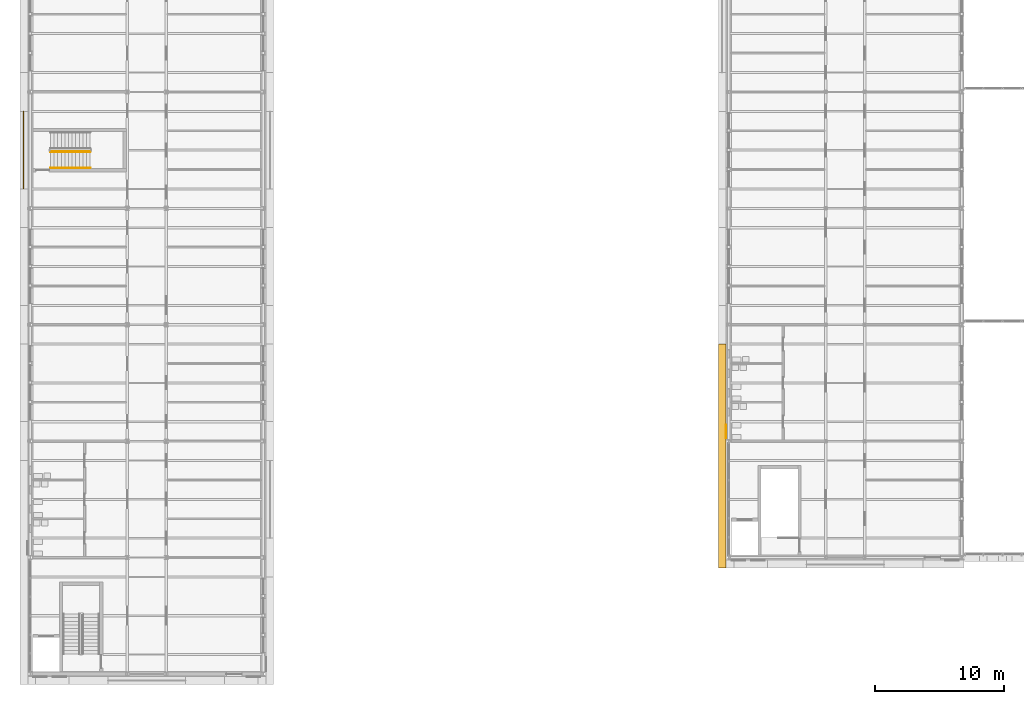
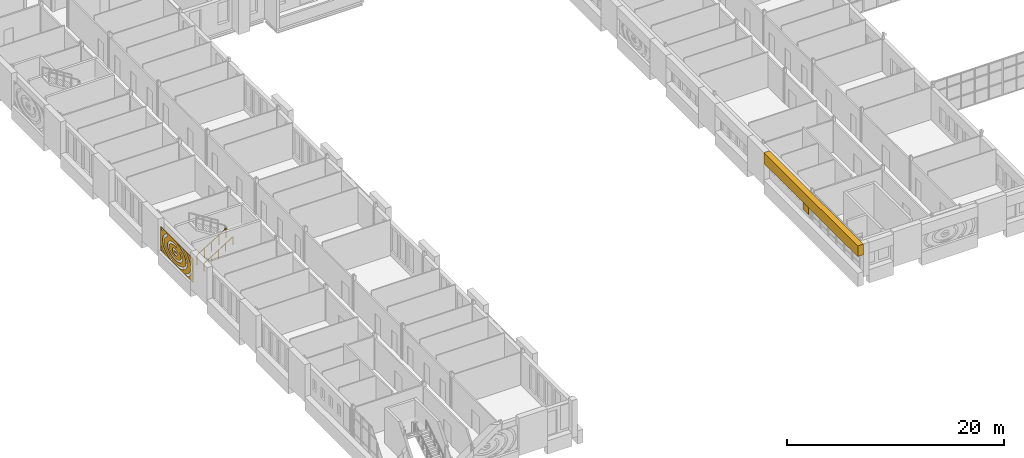
# One storey, part 138 of 154: 3 coverings, 2 railings.
"""IFC4 building model written with IfcOpenShell, lengths in metres."""

from ifc_helpers import new_model, si_unit, direction, frame, origin, origin_2d, place, context, subcontext, project, spatial, polyline, circle, outline, extrude, material, layer, layer_set, type_object, element, save


model = new_model("IFC4")

# Units and contexts
model_context = context("Model", 3, precision=1e-05, world=origin(), true_north=direction((0.0, 1.0)))
body_context = subcontext(model_context, "Body", "Model", "MODEL_VIEW")
ifc_project = project(units=[si_unit("LENGTHUNIT", "METRE"), si_unit("AREAUNIT", "SQUARE_METRE"), si_unit("VOLUMEUNIT", "CUBIC_METRE"), si_unit("PLANEANGLEUNIT", "RADIAN"), si_unit("MASSUNIT", "GRAM", prefix="KILO")], contexts=[model_context])

# Site, building, storey
site_placement = place(None, origin())
site = spatial("IfcSite", under=ifc_project, at=site_placement, CompositionType="ELEMENT")
building_placement = place(site_placement, origin())
building = spatial("IfcBuilding", under=site, at=building_placement, Name="Golden Quay Civic Hall", CompositionType="ELEMENT")
storey_placement = place(building_placement, frame((0.0, 0.0, 14.39990234375)))
storey = spatial("IfcBuildingStorey", under=building, at=storey_placement, Name="L03", CompositionType="ELEMENT", Elevation=14.39990234375)

# Covering
ifc_material_1 = material(Name="Aluminium, golden anodised, perforated", Category="aluminium")
ifc_layer_1 = layer(ifc_material_1, 0.0400390625)
ifc_layer_set_1 = layer_set([ifc_layer_1], Name="Perforated screen panel 6000 x 2700 x 40")
covering_type_1 = type_object("IfcCoveringType", Name="Perforated screen panel 6000 x 2700 x 40", PredefinedType="CLADDING", material=ifc_layer_set_1)
covering_1_placement = place(storey_placement, frame((-0.5, 31.5, 1.9501953125), z_axis=(-1.0, 0.0, 0.0), x_axis=(0.0, -1.0, 0.0)))
element("IfcCovering", 1, at=covering_1_placement, inside=storey, type_object=covering_type_1, Name="Perforated screen panel 6000 x 2700 x 40 L03 1", PredefinedType="CLADDING", context=body_context, shape_type="SweptSolid", body=[
    extrude(outline(polyline([(-3.0, -1.35009765625), (3.0, -1.35009765625), (3.0, 1.35009765625), (-3.0, 1.35009765625), (-3.0, -1.35009765625)]), holes=[polyline([(-0.14599609375, 0.114013671875), (-0.1875, 0.140625), (-0.248291015625, 0.16259765625), (-0.321533203125, 0.173828125), (-0.372802734375, 0.17431640625), (-0.446533203125, 0.163818359375), (-0.5087890625, 0.142578125), (-0.5517578125, 0.1162109375), (-0.575439453125, 0.088134765625), (-0.577392578125, 0.07763671875), (-0.57177734375, 0.065185546875), (-0.55908203125, 0.050537109375), (-0.53662109375, 0.03271484375), (-0.485107421875, 0.007568359375), (-0.4169921875, -0.009521484375), (-0.36669921875, -0.014404296875), (-0.3154296875, -0.013427734375), (-0.26611328125, -0.006591796875), (-0.22119140625, 0.00537109375), (-0.183349609375, 0.021240234375), (-0.154296875, 0.0390625), (-0.129638671875, 0.063232421875), (-0.120361328125, 0.08154296875), (0.102294921875, -0.019287109375), (0.07421875, -0.07177734375), (0.042236328125, -0.11181640625), (-0.00390625, -0.153564453125), (-0.043701171875, -0.1806640625), (-0.1025390625, -0.210693359375), (-0.176025390625, -0.236083984375), (-0.2216796875, -0.246826171875), (-0.2998046875, -0.25732421875), (-0.372314453125, -0.2587890625), (-0.412109375, -0.25634765625), (-0.49755859375, -0.242919921875), (-0.564453125, -0.223388671875), (-0.599853515625, -0.209716796875), (-0.666015625, -0.174560546875), (-0.705078125, -0.146484375), (-0.7333984375, -0.12109375), (-0.758544921875, -0.093017578125), (-0.780517578125, -0.06201171875), (-0.798583984375, -0.0283203125), (-0.811767578125, 0.008056640625), (-0.821533203125, 0.066162109375), (-0.818359375, 0.123046875), (-0.809326171875, 0.159912109375), (-0.79541015625, 0.195068359375), (-0.777099609375, 0.227294921875), (-0.75537109375, 0.257080078125), (-0.702880859375, 0.30810546875), (-0.6416015625, 0.34912109375), (-0.572998046875, 0.38037109375), (-0.4990234375, 0.402587890625), (-0.460693359375, 0.41015625), (-0.388916015625, 0.41796875), (-0.309326171875, 0.41796875), (-0.262451171875, 0.41357421875), (-0.184814453125, 0.398681640625), (-0.118896484375, 0.37744140625), (-0.075927734375, 0.3583984375), (-0.02001953125, 0.3251953125), (0.018310546875, 0.295166015625), (0.060546875, 0.25048828125), (-0.126220703125, 0.0927734375), (-0.14599609375, 0.114013671875)]), polyline([(-0.282470703125, 0.731689453125), (-0.37158203125, 0.732666015625), (-0.460693359375, 0.7294921875), (-0.548828125, 0.72216796875), (-0.635986328125, 0.710693359375), (-0.720947265625, 0.6953125), (-0.8037109375, 0.676025390625), (-0.883544921875, 0.653076171875), (-0.9599609375, 0.62646484375), (-1.0322265625, 0.596435546875), (-1.100341796875, 0.5634765625), (-1.163330078125, 0.52783203125), (-1.22119140625, 0.48974609375), (-1.273681640625, 0.449462890625), (-1.320068359375, 0.40771484375), (-1.360595703125, 0.364501953125), (-1.394775390625, 0.32080078125), (-1.423095703125, 0.2763671875), (-1.445068359375, 0.231689453125), (-1.46142578125, 0.1875), (-1.471923828125, 0.143310546875), (-1.47705078125, 0.099365234375), (-1.476806640625, 0.055419921875), (-1.470947265625, 0.011474609375), (-1.459716796875, -0.03271484375), (-1.44287109375, -0.0771484375), (-1.419921875, -0.12158203125), (-1.39111328125, -0.166015625), (-1.356201171875, -0.209716796875), (-1.31494140625, -0.252685546875), (-1.267578125, -0.294189453125), (-1.214599609375, -0.334228515625), (-1.15625, -0.372314453125), (-1.092529296875, -0.40771484375), (-1.02392578125, -0.440185546875), (-0.951171875, -0.4697265625), (-0.874267578125, -0.49609375), (-0.794189453125, -0.5185546875), (-0.711181640625, -0.53759765625), (-0.625732421875, -0.552490234375), (-0.53857421875, -0.563232421875), (-0.4501953125, -0.570068359375), (-0.361083984375, -0.57275390625), (-0.27197265625, -0.5712890625), (-0.183349609375, -0.5654296875), (-0.095703125, -0.555419921875), (-0.010009765625, -0.54150390625), (0.07373046875, -0.523681640625), (0.15478515625, -0.501953125), (0.232421875, -0.4765625), (0.306396484375, -0.447998046875), (0.3759765625, -0.416015625), (0.44091796875, -0.381103515625), (0.500732421875, -0.343994140625), (0.55517578125, -0.304443359375), (0.603759765625, -0.26318359375), (0.646484375, -0.220458984375), (0.68310546875, -0.1767578125), (0.71337890625, -0.132568359375), (0.73779296875, -0.088134765625), (0.756103515625, -0.043701171875), (0.768798828125, 0.00048828125), (0.77587890625, 0.04443359375), (0.777587890625, 0.08837890625), (0.773681640625, 0.13232421875), (0.764404296875, 0.176513671875), (0.749755859375, 0.220703125), (0.72900390625, 0.265380859375), (0.702392578125, 0.309814453125), (0.669677734375, 0.353759765625), (0.630615234375, 0.39697265625), (0.585693359375, 0.439208984375), (0.53125, 0.482666015625), (0.683837890625, 0.673583984375), (0.741943359375, 0.627197265625), (0.8017578125, 0.57177734375), (0.855224609375, 0.512939453125), (0.902099609375, 0.45068359375), (0.94189453125, 0.385498046875), (0.974365234375, 0.317626953125), (0.99853515625, 0.247314453125), (1.014404296875, 0.175048828125), (1.021484375, 0.101806640625), (1.019775390625, 0.02783203125), (1.0087890625, -0.04541015625), (0.9892578125, -0.117431640625), (0.9609375, -0.187744140625), (0.9248046875, -0.25537109375), (0.881103515625, -0.320068359375), (0.830322265625, -0.381591796875), (0.765625, -0.4462890625), (0.702392578125, -0.49951171875), (0.640869140625, -0.544189453125), (0.559814453125, -0.5947265625), (0.481201171875, -0.63671875), (0.398193359375, -0.67431640625), (0.311279296875, -0.7080078125), (0.227294921875, -0.7353515625), (0.1279296875, -0.761962890625), (0.0322265625, -0.7822265625), (-0.0654296875, -0.798095703125), (-0.16455078125, -0.80908203125), (-0.264892578125, -0.8154296875), (-0.359619140625, -0.817138671875), (-0.460205078125, -0.814208984375), (-0.56005859375, -0.806884765625), (-0.658935546875, -0.79443359375), (-0.76220703125, -0.776611328125), (-0.851318359375, -0.756103515625), (-0.94384765625, -0.730224609375), (-1.033203125, -0.699951171875), (-1.119140625, -0.665283203125), (-1.2080078125, -0.623046875), (-1.278564453125, -0.583740234375), (-1.351318359375, -0.537109375), (-1.426025390625, -0.480712890625), (-1.48046875, -0.4326171875), (-1.536376953125, -0.374755859375), (-1.585693359375, -0.31396484375), (-1.628173828125, -0.249755859375), (-1.663330078125, -0.182861328125), (-1.690673828125, -0.11328125), (-1.709716796875, -0.041748046875), (-1.72021484375, 0.031494140625), (-1.720703125, 0.1201171875), (-1.71142578125, 0.193115234375), (-1.697509765625, 0.251220703125), (-1.67236328125, 0.322265625), (-1.638916015625, 0.390869140625), (-1.597900390625, 0.456787109375), (-1.5498046875, 0.519287109375), (-1.494873046875, 0.57861328125), (-1.43359375, 0.63427734375), (-1.359619140625, 0.69140625), (-1.287353515625, 0.738525390625), (-1.21044921875, 0.78173828125), (-1.12890625, 0.821044921875), (-1.043701171875, 0.856201171875), (-0.95458984375, 0.886962890625), (-0.8623046875, 0.913330078125), (-0.767578125, 0.935302734375), (-0.670654296875, 0.952880859375), (-0.572021484375, 0.965576171875), (-0.477783203125, 0.973388671875), (-0.377197265625, 0.97705078125), (-0.276611328125, 0.975830078125), (-0.176513671875, 0.97021484375), (-0.0771484375, 0.959716796875), (-0.103271484375, 0.716552734375), (-0.19384765625, 0.726318359375), (-0.282470703125, 0.731689453125)]), polyline([(-1.8857421875, 0.8662109375), (-1.9677734375, 0.805419921875), (-2.04248046875, 0.741943359375), (-2.110107421875, 0.676025390625), (-2.17041015625, 0.6083984375), (-2.222900390625, 0.539306640625), (-2.267822265625, 0.46875), (-2.304931640625, 0.3974609375), (-2.33447265625, 0.32568359375), (-2.356201171875, 0.25341796875), (-2.370361328125, 0.180908203125), (-2.377197265625, 0.1083984375), (-2.376220703125, 0.035888671875), (-2.367919921875, -0.03662109375), (-2.35205078125, -0.109130859375), (-2.32861328125, -0.181396484375), (-2.297607421875, -0.2529296875), (-2.2587890625, -0.32421875), (-2.212158203125, -0.394287109375), (-2.157958984375, -0.46337890625), (-2.09619140625, -0.530517578125), (-2.02685546875, -0.595947265625), (-1.950439453125, -0.65869140625), (-1.8671875, -0.718994140625), (-1.777099609375, -0.776123046875), (-1.68115234375, -0.829833984375), (-1.5791015625, -0.8798828125), (-1.471923828125, -0.92578125), (-1.359619140625, -0.9677734375), (-1.2431640625, -1.00537109375), (-1.12255859375, -1.0380859375), (-0.998779296875, -1.066162109375), (-0.8720703125, -1.08935546875), (-0.7431640625, -1.107421875), (-0.612548828125, -1.120361328125), (-0.480712890625, -1.128173828125), (-0.348388671875, -1.130859375), (-0.216064453125, -1.128173828125), (-0.084228515625, -1.1201171875), (0.04638671875, -1.107177734375), (0.17529296875, -1.0888671875), (0.302001953125, -1.065673828125), (0.42578125, -1.037353515625), (0.546142578125, -1.00439453125), (0.66259765625, -0.966796875), (0.774658203125, -0.9248046875), (0.8818359375, -0.878662109375), (0.9833984375, -0.82861328125), (1.07958984375, -0.774658203125), (1.169189453125, -0.717529296875), (1.25244140625, -0.6572265625), (1.32861328125, -0.59423828125), (1.397705078125, -0.52880859375), (1.45947265625, -0.461669921875), (1.513427734375, -0.392578125), (1.559814453125, -0.322509765625), (1.598388671875, -0.251220703125), (1.62939453125, -0.179443359375), (1.652587890625, -0.107421875), (1.668212890625, -0.034912109375), (1.676513671875, 0.03759765625), (1.677001953125, 0.110107421875), (1.670166015625, 0.1826171875), (1.65576171875, 0.255126953125), (1.6337890625, 0.327392578125), (1.604248046875, 0.3994140625), (1.56689453125, 0.470458984375), (1.521728515625, 0.541015625), (1.468994140625, 0.610107421875), (1.40869140625, 0.677734375), (1.3408203125, 0.743408203125), (1.265625, 0.806884765625), (1.18359375, 0.86767578125), (1.094970703125, 0.92529296875), (1.0, 0.979736328125), (0.899169921875, 1.030517578125), (0.79296875, 1.077392578125), (0.681640625, 1.1201171875), (0.56591796875, 1.158447265625), (0.446044921875, 1.192138671875), (0.322998046875, 1.22119140625), (0.19677734375, 1.245361328125), (0.068115234375, 1.264404296875), (-0.062255859375, 1.2783203125), (-0.19384765625, 1.287109375), (-0.300537109375, 1.2900390625), (0.91650390625, 1.2900390625), (1.00634765625, 1.250244140625), (1.11865234375, 1.193359375), (1.219482421875, 1.1357421875), (1.320068359375, 1.0703125), (1.414306640625, 1.0009765625), (1.501708984375, 0.927490234375), (1.581787109375, 0.85009765625), (1.654541015625, 0.769287109375), (1.71923828125, 0.685302734375), (1.775634765625, 0.597900390625), (1.827880859375, 0.49755859375), (1.862060546875, 0.4150390625), (1.891357421875, 0.3203125), (1.9111328125, 0.22412109375), (1.9208984375, 0.126953125), (1.919921875, 0.0166015625), (1.908447265625, -0.080322265625), (1.88720703125, -0.176513671875), (1.856201171875, -0.270751953125), (1.82080078125, -0.35302734375), (1.7666015625, -0.45263671875), (1.708984375, -0.53955078125), (1.642822265625, -0.623291015625), (1.56884765625, -0.70361328125), (1.49365234375, -0.774658203125), (1.39892578125, -0.852783203125), (1.3037109375, -0.921630859375), (1.2021484375, -0.986083984375), (1.094482421875, -1.04638671875), (0.981201171875, -1.101806640625), (0.863037109375, -1.152587890625), (0.740234375, -1.198486328125), (0.61328125, -1.239501953125), (0.4169921875, -1.2900390625), (-1.1171875, -1.2900390625), (-1.31005859375, -1.240478515625), (-1.437255859375, -1.19970703125), (-1.56005859375, -1.15380859375), (-1.678466796875, -1.103271484375), (-1.791748046875, -1.0478515625), (-1.8994140625, -0.98779296875), (-2.001220703125, -0.92333984375), (-2.0966796875, -0.854736328125), (-2.185302734375, -0.781982421875), (-2.26708984375, -0.705322265625), (-2.341064453125, -0.625244140625), (-2.4130859375, -0.53369140625), (-2.46533203125, -0.454833984375), (-2.514892578125, -0.365234375), (-2.555419921875, -0.273193359375), (-2.58642578125, -0.1787109375), (-2.610107421875, -0.070556640625), (-2.62060546875, 0.02685546875), (-2.62109375, 0.12451171875), (-2.611328125, 0.2216796875), (-2.592041015625, 0.318115234375), (-2.56298828125, 0.41259765625), (-2.5244140625, 0.50537109375), (-2.476806640625, 0.595703125), (-2.426513671875, 0.6748046875), (-2.356201171875, 0.767333984375), (-2.28369140625, 0.848388671875), (-2.203857421875, 0.925537109375), (-2.11669921875, 0.999267578125), (-2.0224609375, 1.068603515625), (-1.922119140625, 1.134033203125), (-1.8212890625, 1.19189453125), (-1.69970703125, 0.97998046875), (-1.79736328125, 0.923828125), (-1.8857421875, 0.8662109375)]), polyline([(-2.93994140625, -0.73876953125), (-2.83935546875, -0.84619140625), (-2.750732421875, -0.927490234375), (-2.65478515625, -1.00634765625), (-2.55126953125, -1.081787109375), (-2.44091796875, -1.154052734375), (-2.32373046875, -1.22265625), (-2.19482421875, -1.2900390625), (-2.6796875, -1.2900390625), (-2.69287109375, -1.281005859375), (-2.806884765625, -1.197509765625), (-2.93994140625, -1.085693359375), (-2.93994140625, -0.73876953125)]), polyline([(1.564697265625, -1.254638671875), (1.684814453125, -1.187744140625), (1.798583984375, -1.1171875), (1.905517578125, -1.043212890625), (2.005126953125, -0.966064453125), (2.097412109375, -0.885986328125), (2.18212890625, -0.80322265625), (2.2587890625, -0.718017578125), (2.327392578125, -0.631103515625), (2.387939453125, -0.542236328125), (2.43994140625, -0.4521484375), (2.48388671875, -0.361083984375), (2.519287109375, -0.268798828125), (2.546142578125, -0.176513671875), (2.56494140625, -0.08349609375), (2.5751953125, 0.010009765625), (2.577392578125, 0.103271484375), (2.5712890625, 0.196533203125), (2.556640625, 0.28955078125), (2.533935546875, 0.38232421875), (2.502685546875, 0.474853515625), (2.463134765625, 0.56640625), (2.4150390625, 0.656982421875), (2.35888671875, 0.74658203125), (2.294189453125, 0.83447265625), (2.2216796875, 0.920654296875), (2.14111328125, 1.004638671875), (2.052490234375, 1.086181640625), (1.95654296875, 1.164794921875), (1.853271484375, 1.240478515625), (1.77783203125, 1.2900390625), (2.189208984375, 1.2900390625), (2.314697265625, 1.176513671875), (2.406005859375, 1.081298828125), (2.489013671875, 0.982421875), (2.55859375, 0.8876953125), (2.62451171875, 0.783203125), (2.681396484375, 0.676513671875), (2.72900390625, 0.567138671875), (2.76708984375, 0.455810546875), (2.79541015625, 0.343017578125), (2.814697265625, 0.218017578125), (2.822021484375, 0.103271484375), (2.81884765625, -0.01171875), (2.8056640625, -0.126220703125), (2.784912109375, -0.229736328125), (2.75244140625, -0.34228515625), (2.710205078125, -0.453369140625), (2.65380859375, -0.570556640625), (2.59228515625, -0.676025390625), (2.52197265625, -0.779052734375), (2.443115234375, -0.878662109375), (2.355712890625, -0.97509765625), (2.260498046875, -1.068115234375), (2.162841796875, -1.15283203125), (2.052490234375, -1.238525390625), (1.978515625, -1.2900390625), (1.493408203125, -1.2900390625), (1.564697265625, -1.254638671875)]), polyline([(-2.478271484375, 1.2900390625), (-2.603515625, 1.20458984375), (-2.703369140625, 1.127685546875), (-2.798583984375, 1.045166015625), (-2.93994140625, 1.208251953125), (-2.93994140625, 1.245849609375), (-2.88916015625, 1.2900390625), (-2.478271484375, 1.2900390625)]), polyline([(2.835693359375, -1.205322265625), (2.9345703125, -1.110107421875), (2.93994140625, -1.104248046875), (2.93994140625, -1.2900390625), (2.73779296875, -1.2900390625), (2.835693359375, -1.205322265625)])]), origin(), (0.0, 0.0, 1.0), 0.0400390625),
])

# Railings
ifc_material_2 = material(Name="Steel S355", Category="steel")
railing_type_1 = type_object("IfcRailingType", Name="Steel guard 1100", PredefinedType="GUARDRAIL", material=ifc_material_2)
railing_1_placement = place(storey_placement, frame((1.550048828125, 31.375, 0.175048828125)))
element("IfcRailing", 2, at=railing_1_placement, inside=storey, type_object=railing_type_1, Name="L03 WO-M stair guard 1", PredefinedType="GUARDRAIL", context=body_context, shape_type="SweptSolid", body=[
    extrude(circle(Radius=0.02392578125, at=origin_2d()), frame((0.0, 0.0, 1.076171875), z_axis=(0.847979421464, 0.0, 0.530029150871), x_axis=(0.0, 1.0, 0.0)), (0.0, 0.0, 1.0), 3.632080078125),
    extrude(circle(Radius=0.02099609375, at=origin_2d()), origin(), (0.0, 0.0, 1.0), 1.052001953125),
    extrude(circle(Radius=0.02099609375, at=origin_2d()), frame((0.77001953125, 0.0, 0.481201171875)), (0.0, 0.0, 1.0), 1.052001953125),
    extrude(circle(Radius=0.02099609375, at=origin_2d()), frame((1.5400390625, 0.0, 0.96240234375)), (0.0, 0.0, 1.0), 1.052001953125),
    extrude(circle(Radius=0.02099609375, at=origin_2d()), frame((2.309814453125, 0.0, 1.44384765625)), (0.0, 0.0, 1.0), 1.052001953125),
    extrude(circle(Radius=0.02099609375, at=origin_2d()), frame((3.079833984375, 0.0, 1.925048828125)), (0.0, 0.0, 1.0), 1.052001953125),
])
ifc_material_3 = material(Name="Steel S355", Category="steel")
railing_type_2 = type_object("IfcRailingType", Name="Steel handrail 900", PredefinedType="HANDRAIL", material=ifc_material_3)
railing_2_placement = place(storey_placement, frame((1.550048828125, 30.125, 0.175048828125)))
element("IfcRailing", 3, at=railing_2_placement, inside=storey, type_object=railing_type_2, Name="L03 WO-M stair handrail 1", PredefinedType="HANDRAIL", context=body_context, shape_type="SweptSolid", body=[
    extrude(circle(Radius=0.02392578125, at=origin_2d()), frame((0.0, 0.0, 0.8759765625), z_axis=(0.847979421464, 0.0, 0.530029150871), x_axis=(0.0, 1.0, 0.0)), (0.0, 0.0, 1.0), 3.632080078125),
    extrude(circle(Radius=0.02099609375, at=origin_2d()), origin(), (0.0, 0.0, 1.0), 0.851806640625),
    extrude(circle(Radius=0.02099609375, at=origin_2d()), frame((0.77001953125, 0.0, 0.481201171875)), (0.0, 0.0, 1.0), 0.851806640625),
    extrude(circle(Radius=0.02099609375, at=origin_2d()), frame((1.5400390625, 0.0, 0.96240234375)), (0.0, 0.0, 1.0), 0.851806640625),
    extrude(circle(Radius=0.02099609375, at=origin_2d()), frame((2.309814453125, 0.0, 1.44384765625)), (0.0, 0.0, 1.0), 0.851806640625),
    extrude(circle(Radius=0.02099609375, at=origin_2d()), frame((3.079833984375, 0.0, 1.925048828125)), (0.0, 0.0, 1.0), 0.851806640625),
])

# Coverings
ifc_material_4 = material(Name="Terracotta cladding, golden glaze", Category="masonry")
ifc_layer_2 = layer(ifc_material_4, 0.050048828125)
ifc_layer_set_2 = layer_set([ifc_layer_2], Name="Terracotta solid panel 1050 x 2700 x 50")
covering_type_2 = type_object("IfcCoveringType", Name="Terracotta solid panel 1050 x 2700 x 50", PredefinedType="CLADDING", material=ifc_layer_set_2)
covering_2_placement = place(storey_placement, frame((0.0, 0.0, 0.900146484375)))
element("IfcCovering", 4, at=covering_2_placement, inside=storey, type_object=covering_type_2, Name="Terracotta solid panel 1050 x 2700 x 50 L03 12", PredefinedType="CLADDING", context=body_context, shape_type="SweptSolid", body=[
    extrude(outline(polyline([(53.800048828125, 9.22509765625), (53.800048828125, 10.27490234375), (53.75, 10.27490234375), (53.75, 9.22509765625), (53.800048828125, 9.22509765625)])), origin(), (0.0, 0.0, 1.0), 2.699951171875),
])
ifc_material_5 = material(Name="Terracotta cladding, golden glaze", Category="masonry")
covering_type_3 = type_object("IfcCoveringType", Name="Terracotta spandrel fascia 600 x 1200", PredefinedType="CLADDING", material=ifc_material_5)
covering_3_placement = place(storey_placement, frame((0.0, 0.0, 2.47998046875)))
element("IfcCovering", 5, at=covering_3_placement, inside=storey, type_object=covering_type_3, Name="Terracotta spandrel fascia 600 x 1200 L03 2", PredefinedType="CLADDING", context=body_context, shape_type="SweptSolid", body=[
    extrude(outline(polyline([(53.800048828125, -0.800048828125), (53.199951171875, -0.800048828125), (53.199951171875, 16.5), (53.800048828125, 16.5), (53.800048828125, -0.199951171875), (53.800048828125, -0.800048828125)])), origin(), (0.0, 0.0, 1.0), 1.2001953125),
])

save(model, "model.ifc")
